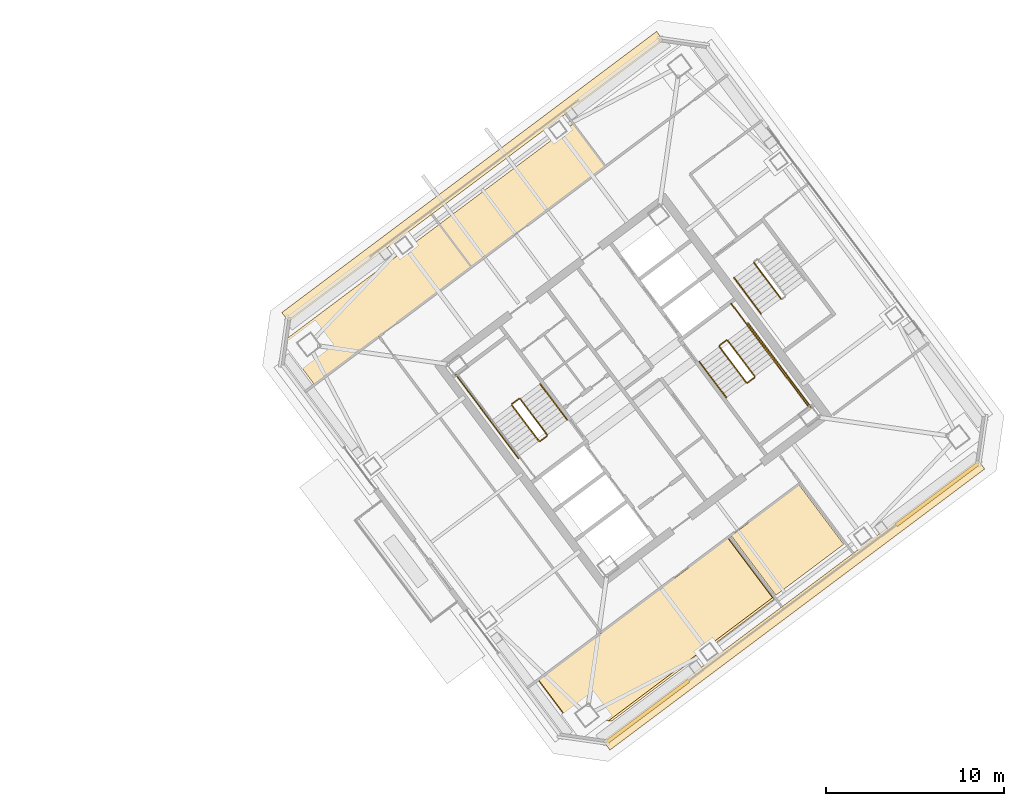
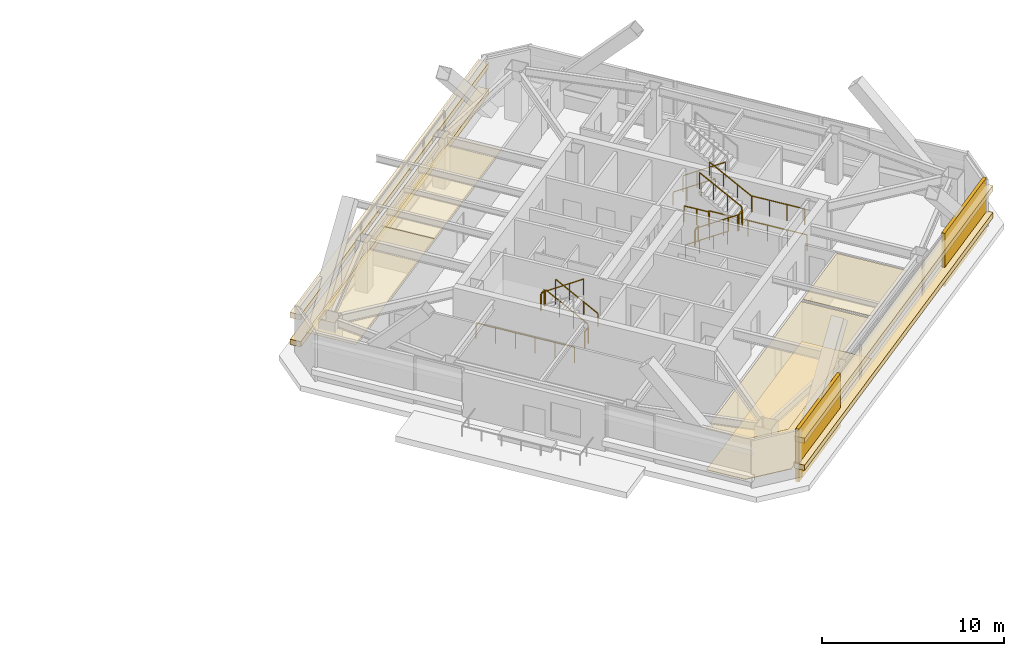
# One storey, part 38 of 39: 17 railings, 11 coverings.
"""IFC4 building model written with IfcOpenShell, lengths in metres."""

import ifcopenshell
import ifcopenshell.guid

model = None  # the IFC model being written
_history = None  # IfcOwnerHistory: only IFC2X3 demands one
_inside = {}  # id of a spatial element -> (the spatial element, [elements in it])
_under = {}  # id of a project, library or spatial element -> (it, [spatial elements below it])
_declared = {}  # id of a project -> (the project, [libraries it declares])
_typed = {}  # id of a type object -> (the type object, [elements of that type])
_made_of = {}  # id of a material, layer set ... -> (it, [elements and type objects made of it])


def new_model(schema):
    """Start an empty IFC model of exactly this schema.

    Asked for "IFC4X3", IfcOpenShell would pick the latest addendum, in which some entities
    have other attributes; the version numbers below select the first issue.
    IFC2X3 requires an IfcOwnerHistory on every rooted entity: one is made here for all.
    """
    global model, _history
    if schema == "IFC4X3":
        model = ifcopenshell.file(schema_version=(4, 3, 0, 0))
    else:
        model = ifcopenshell.file(schema=schema)
    _inside.clear()
    _under.clear()
    _declared.clear()
    _typed.clear()
    _made_of.clear()
    _history = None
    if model.schema == "IFC2X3":
        org = make("IfcOrganization", Name="unknown")
        user = make(
            "IfcPersonAndOrganization",
            ThePerson=make("IfcPerson", FamilyName="unknown"),
            TheOrganization=org,
        )
        app = make(
            "IfcApplication",
            ApplicationDeveloper=org,
            Version="unknown",
            ApplicationFullName="unknown",
            ApplicationIdentifier="unknown",
        )
        _history = make(
            "IfcOwnerHistory",
            OwningUser=user,
            OwningApplication=app,
            ChangeAction="ADDED",
            CreationDate=0,
        )
    return model


def make(cls, **values):
    """One entity of the class cls with the attributes given. An attribute that is None is left unset."""
    return model.create_entity(
        cls, **{name: value for name, value in values.items() if value is not None}
    )


def rooted(cls, **values):
    """An entity with a GlobalId (a new one), such as an element, a storey or a relation."""
    return make(cls, GlobalId=ifcopenshell.guid.new(), OwnerHistory=_history, **values)


def si_unit(unit_type, name, prefix=None):
    """IfcSIUnit, for example si_unit("LENGTHUNIT", "METRE", prefix="MILLI")."""
    return make("IfcSIUnit", UnitType=unit_type, Prefix=prefix, Name=name)


def assignment(units):
    """IfcUnitAssignment: the units of a project."""
    return None if units is None else make("IfcUnitAssignment", Units=units)


def point(xyz):
    """IfcCartesianPoint."""
    return None if xyz is None else make("IfcCartesianPoint", Coordinates=xyz)


def direction(xyz):
    """IfcDirection."""
    return None if xyz is None else make("IfcDirection", DirectionRatios=xyz)


def frame(location, z_axis=None, x_axis=None):
    """IfcAxis2Placement3D, a coordinate frame: its origin and axes. An axis left out is left unset."""
    return make(
        "IfcAxis2Placement3D",
        Location=point(location),
        Axis=direction(z_axis),
        RefDirection=direction(x_axis),
    )


def frame_2d(location, x_axis=None):
    """IfcAxis2Placement2D, a coordinate frame in the plane: its origin and x axis."""
    return make(
        "IfcAxis2Placement2D", Location=point(location), RefDirection=direction(x_axis)
    )


def origin():
    """The frame at (0, 0, 0) with its axes left unset."""
    return frame((0.0, 0.0, 0.0))


def origin_2d():
    """The frame at (0, 0) in the plane with its x axis left unset."""
    return frame_2d((0.0, 0.0))


def place(relative_to, where):
    """IfcLocalPlacement: puts the frame where relative to a parent placement (None: the world)."""
    return make(
        "IfcLocalPlacement", PlacementRelTo=relative_to, RelativePlacement=where
    )


def context(
    kind, dimensions, precision=None, world=None, true_north=None, identifier=None
):
    """IfcGeometricRepresentationContext, for example the 3D "Model" context."""
    return make(
        "IfcGeometricRepresentationContext",
        ContextIdentifier=identifier,
        ContextType=kind,
        CoordinateSpaceDimension=dimensions,
        Precision=precision,
        WorldCoordinateSystem=world,
        TrueNorth=true_north,
    )


def subcontext(parent, identifier, kind, view, scale=None):
    """IfcGeometricRepresentationSubContext, for example "Body" below "Model"."""
    return make(
        "IfcGeometricRepresentationSubContext",
        ContextIdentifier=identifier,
        ContextType=kind,
        ParentContext=parent,
        TargetScale=scale,
        TargetView=view,
    )


def project(units=None, contexts=None):
    """IfcProject with its units and contexts."""
    return rooted(
        "IfcProject",
        Name="project",
        RepresentationContexts=contexts,
        UnitsInContext=assignment(units),
    )


def spatial(cls, under=None, at=None, **own):
    """A site, building, storey or space (cls), placed at a placement, below another one or the project."""
    s = rooted(cls, ObjectPlacement=at, **own)
    if under is not None:
        _under.setdefault(under.id(), (under, []))[1].append(s)
    return s


def polyline(points):
    """IfcPolyline through the points."""
    return make("IfcPolyline", Points=[point(p) for p in points])


def profile(cls, at=None, kind="AREA", **sizes):
    """A parametric profile (cls). Its sizes go by their IFC names, for example OverallWidth=200.0."""
    return make(cls, ProfileType=kind, Position=at, **sizes)


def rectangle(**sizes):
    """IfcRectangleProfileDef."""
    return profile("IfcRectangleProfileDef", **sizes)


def outline(outer, holes=None, kind="AREA"):
    """IfcArbitraryClosedProfileDef: a profile drawn as a closed curve; with holes, ...WithVoids."""
    if holes is None:
        return make("IfcArbitraryClosedProfileDef", ProfileType=kind, OuterCurve=outer)
    return make(
        "IfcArbitraryProfileDefWithVoids",
        ProfileType=kind,
        OuterCurve=outer,
        InnerCurves=holes,
    )


def extrude(swept, where, along, depth):
    """IfcExtrudedAreaSolid: the profile swept, set in the frame where, extruded along a direction by depth."""
    return make(
        "IfcExtrudedAreaSolid",
        SweptArea=swept,
        Position=where,
        ExtrudedDirection=direction(along),
        Depth=depth,
    )


def shape(context_of_items, identifier, shape_type, items):
    """IfcShapeRepresentation: the items that make up one representation, for example the "Body"."""
    return make(
        "IfcShapeRepresentation",
        ContextOfItems=context_of_items,
        RepresentationIdentifier=identifier,
        RepresentationType=shape_type,
        Items=items,
    )


def material(Name=None, Category=None):
    """IfcMaterial."""
    return make("IfcMaterial", Name=Name, Category=Category)


def layer(
    of_material, thickness, ventilated=None, Name=None, Category=None, Priority=None
):
    """IfcMaterialLayer: one layer of a wall or slab, of a material (None: an air gap)."""
    return make(
        "IfcMaterialLayer",
        Material=of_material,
        LayerThickness=thickness,
        IsVentilated=ventilated,
        Name=Name,
        Category=Category,
        Priority=Priority,
    )


def layer_set(layers, Name=None):
    """IfcMaterialLayerSet."""
    return make("IfcMaterialLayerSet", MaterialLayers=layers, LayerSetName=Name)


def made_of(thing, what):
    """Note that an element or type object is made of a material, layer set ...; save() writes the relation."""
    if what is not None:
        _made_of.setdefault(what.id(), (what, []))[1].append(thing)
    return thing


def type_object(cls, material=None, **own):
    """A type object (cls), such as IfcWallType, which elements share."""
    return made_of(rooted(cls, **own), material)


def element(
    cls,
    number,
    at=None,
    inside=None,
    cuts=None,
    type_object=None,
    material=None,
    context=None,
    identifier="Body",
    shape_type=None,
    held_by="IfcProductDefinitionShape",
    body=None,
    shapes=None,
    **own,
):
    """One element of the class cls, such as IfcWall. Its Tag is "e" and its number.

    at: its placement. inside: the storey or other place that contains it. cuts: it is an
    opening in that element (IfcRelVoidsElement). A single representation is given by context,
    identifier, shape_type and body (its items); several are given by shapes. held_by: the class
    of the entity that holds the representations. save() writes the other relations.
    """
    e = rooted(cls, Tag="e%d" % number, ObjectPlacement=at, **own)
    if body is not None:
        shapes = [shape(context, identifier, shape_type, body)]
    if shapes is not None:
        e.Representation = make(held_by, Representations=shapes)
    if inside is not None:
        _inside.setdefault(inside.id(), (inside, []))[1].append(e)
    if cuts is not None:
        rooted(
            "IfcRelVoidsElement", RelatingBuildingElement=cuts, RelatedOpeningElement=e
        )
    if type_object is not None:
        _typed.setdefault(type_object.id(), (type_object, []))[1].append(e)
    return made_of(e, material)


def aggregate(whole, parts):
    """IfcRelAggregates: a whole, such as a stair, and the parts it consists of."""
    return rooted("IfcRelAggregates", RelatingObject=whole, RelatedObjects=parts)


def save(model, path):
    """Write the relations noted so far, then the file.

    IfcRelAggregates (storeys below a building ...), IfcRelContainedInSpatialStructure (elements
    in a storey), IfcRelDefinesByType, IfcRelAssociatesMaterial and IfcRelDeclares: one each for
    every whole, place, type object, material and project.
    """
    for whole, parts in _under.values():
        aggregate(whole, parts)
    for where, things in _inside.values():
        rooted(
            "IfcRelContainedInSpatialStructure",
            RelatedElements=things,
            RelatingStructure=where,
        )
    for kind, things in _typed.values():
        rooted("IfcRelDefinesByType", RelatedObjects=things, RelatingType=kind)
    for what, things in _made_of.values():
        rooted("IfcRelAssociatesMaterial", RelatedObjects=things, RelatingMaterial=what)
    for by, libraries in _declared.values():
        rooted("IfcRelDeclares", RelatingContext=by, RelatedDefinitions=libraries)
    model.write(path)


model = new_model("IFC4")

# Units and contexts
model_context = context("Model", 3, precision=1e-05, world=origin(), true_north=direction((0.0, 1.0)))
body_context = subcontext(model_context, "Body", "Model", "MODEL_VIEW")
ifc_project = project(units=[si_unit("LENGTHUNIT", "METRE"), si_unit("AREAUNIT", "SQUARE_METRE"), si_unit("VOLUMEUNIT", "CUBIC_METRE"), si_unit("PLANEANGLEUNIT", "RADIAN"), si_unit("MASSUNIT", "GRAM", prefix="KILO")], contexts=[model_context])

# Site, building, storey
site_placement = place(None, origin())
site = spatial("IfcSite", under=ifc_project, at=site_placement, CompositionType="ELEMENT")
building_placement = place(site_placement, origin())
building = spatial("IfcBuilding", under=site, at=building_placement, Name="Tashvorn Skyway Center", CompositionType="ELEMENT")
storey_placement = place(building_placement, frame((0.0, 0.0, 232.60009765625)))
storey = spatial("IfcBuildingStorey", under=building, at=storey_placement, Name="L63", CompositionType="ELEMENT", Elevation=232.60009765625)

# Coverings
ifc_material_1 = material(Name="Precast concrete C40/50", Category="concrete")
ifc_layer_1 = layer(ifc_material_1, 0.199951171875)
ifc_layer_set_1 = layer_set([ifc_layer_1], Name="Precast concrete C40/50")
covering_type_1 = type_object("IfcCoveringType", Name="COV-BRACE-CLAD", PredefinedType="CLADDING", material=ifc_layer_set_1)
for number, where, z_axis, x_axis, name in (
    (1, (131.066650390625, 26.199951171875, 0.0), (0.0, 0.0, 1.0), (-0.799999996291, -0.600000004945, 0.0), "Tower 2 L63 South Unitised Curtain Wall Mega-Brace Cladding Band 1"),
    (2, (114.789306640625, 13.991943359375, 0.0), (0.0, 0.0, 1.0), (-0.799999996291, -0.600000004945, 0.0), "Tower 2 L63 South Unitised Curtain Wall Mega-Brace Cladding Band 2"),
):
    element("IfcCovering", number, at=place(storey_placement, frame(where, z_axis=z_axis, x_axis=x_axis)), inside=storey, type_object=covering_type_1, Name=name, PredefinedType="CLADDING", context=body_context, shape_type="SweptSolid", body=[
        extrude(rectangle(XDim=5.8134765625, YDim=0.199951171875, at=origin_2d()), origin(), (0.0, 0.0, 1.0), 3.550048828125),
    ])
ifc_material_2 = material(Name="Mineral-fibre acoustic ceiling tile on suspended grid")
ifc_layer_2 = layer(ifc_material_2, 0.02001953125)
ifc_layer_set_2 = layer_set([ifc_layer_2], Name="Mineral-fibre acoustic ceiling tile on suspended grid")
covering_type_2 = type_object("IfcCoveringType", Name="COV-CEIL-20", PredefinedType="CEILING", material=ifc_layer_set_2)
covering_1_placement = place(storey_placement, frame((0.0, 0.0, 2.702880859375)))
element("IfcCovering", 3, at=covering_1_placement, inside=storey, type_object=covering_type_2, Name="Tower 2 L63 Operations Control Room Acoustic Ceiling", PredefinedType="CEILING", context=body_context, shape_type="SweptSolid", body=[
    extrude(outline(polyline([(96.1201171875, 32.340087890625), (104.919921875, 38.93994140625), (103.1201171875, 41.340087890625), (94.320068359375, 34.739990234375), (96.1201171875, 32.340087890625)])), origin(), (0.0, 0.0, 1.0), 0.02001953125),
])
covering_2_placement = place(storey_placement, frame((0.0, 0.0, 2.702880859375)))
element("IfcCovering", 4, at=covering_2_placement, inside=storey, type_object=covering_type_2, Name="Tower 2 L63 Operations Control Room Acoustic Ceiling", PredefinedType="CEILING", context=body_context, shape_type="SweptSolid", body=[
    extrude(outline(polyline([(104.919921875, 38.93994140625), (112.43994140625, 44.580078125), (110.639892578125, 46.97998046875), (103.1201171875, 41.340087890625), (104.919921875, 38.93994140625)])), origin(), (0.0, 0.0, 1.0), 0.02001953125),
])
covering_3_placement = place(storey_placement, frame((0.0, 0.0, 2.702880859375)))
element("IfcCovering", 5, at=covering_3_placement, inside=storey, type_object=covering_type_2, Name="Tower 2 L63 Operations Control Room Acoustic Ceiling", PredefinedType="CEILING", context=body_context, shape_type="SweptSolid", body=[
    extrude(outline(polyline([(108.701904296875, 15.763916015625), (119.31005859375, 23.719970703125), (121.81201171875, 20.384033203125), (112.612060546875, 13.48388671875), (110.14794921875, 13.8359375), (108.701904296875, 15.763916015625)])), origin(), (0.0, 0.0, 1.0), 0.02001953125),
])
covering_4_placement = place(storey_placement, frame((0.0, 0.0, 2.702880859375)))
element("IfcCovering", 6, at=covering_4_placement, inside=storey, type_object=covering_type_2, Name="Tower 2 L63 Boardroom Acoustic Ceiling", PredefinedType="CEILING", context=body_context, shape_type="SweptSolid", body=[
    extrude(outline(polyline([(119.501953125, 23.864013671875), (123.31005859375, 26.719970703125), (125.81201171875, 23.384033203125), (122.00390625, 20.528076171875), (119.501953125, 23.864013671875)])), origin(), (0.0, 0.0, 1.0), 0.02001953125),
])
ifc_material_3 = material(Name="Polished Mojave desert-aggregate terrazzo and cover plate")
ifc_layer_3 = layer(ifc_material_3, 0.0400390625)
ifc_layer_set_3 = layer_set([ifc_layer_3], Name="Polished Mojave desert-aggregate terrazzo and cover plate")
covering_type_3 = type_object("IfcCoveringType", Name="COV-FLR-40", PredefinedType="FLOORING", material=ifc_layer_set_3)
covering_5_placement = place(storey_placement, origin())
element("IfcCovering", 7, at=covering_5_placement, inside=storey, type_object=covering_type_3, Name="Tower 2 L63 Operations Control Room Finish Flooring", PredefinedType="FLOORING", context=body_context, shape_type="SweptSolid", body=[
    extrude(outline(polyline([(112.780029296875, 13.4599609375), (110.092041015625, 13.843994140625), (108.694091796875, 15.7080078125), (119.365966796875, 23.7119140625), (121.916015625, 20.31201171875), (112.780029296875, 13.4599609375)])), origin(), (0.0, 0.0, 1.0), 0.039794921875),
])
ifc_material_4 = material(Name="Perforated ceramic-coated bronze aluminium solar screen", Category="aluminium")
ifc_layer_4 = layer(ifc_material_4, 0.85009765625)
ifc_layer_set_4 = layer_set([ifc_layer_4], Name="Perforated ceramic-coated bronze aluminium solar screen")
covering_type_4 = type_object("IfcCoveringType", Name="COV-SOLAR-BAND", PredefinedType="CLADDING", material=ifc_layer_set_4)
for number, where, z_axis, x_axis, name in (
    (8, (123.011962890625, 19.98388671875, 0.919921875), (0.0, 0.0, 1.0), (-0.799999996291, -0.600000004945, 0.0), "L63 Perforated Ceramic-Metal Solar Screen Louvre Band South 1"),
    (9, (123.011962890625, 19.98388671875, 2.7197265625), (0.0, 0.0, 1.0), (-0.799999996291, -0.600000004945, 0.0), "L63 Perforated Ceramic-Metal Solar Screen Louvre Band South 2"),
    (10, (104.988037109375, 44.01611328125, 0.919921875), (0.0, 0.0, 1.0), (0.799999996291, 0.600000004945, 0.0), "L63 Perforated Ceramic-Metal Solar Screen Louvre Band North 1"),
    (11, (104.988037109375, 44.01611328125, 2.7197265625), (0.0, 0.0, 1.0), (0.799999996291, 0.600000004945, 0.0), "L63 Perforated Ceramic-Metal Solar Screen Louvre Band North 2"),
):
    element("IfcCovering", number, at=place(storey_placement, frame(where, z_axis=z_axis, x_axis=x_axis)), inside=storey, type_object=covering_type_4, Name=name, PredefinedType="CLADDING", context=body_context, shape_type="SweptSolid", body=[
        extrude(rectangle(XDim=26.280029296875, YDim=0.639892578125, at=origin_2d()), origin(), (0.0, 0.0, 1.0), 0.360107421875),
    ])

# Railings
ifc_material_5 = material(Name="Brushed stainless steel 316", Category="steel")
railing_type_1 = type_object("IfcRailingType", Name="RAIL-HAND-920", PredefinedType="HANDRAIL", material=ifc_material_5)
railing_1_placement = place(storey_placement, frame((110.2880859375, 30.365966796875, 0.177490234375)))
element("IfcRailing", 12, at=railing_1_placement, inside=storey, type_object=railing_type_1, Name="L63 ST-T2-1 stair handrail 1", PredefinedType="HANDRAIL", context=body_context, shape_type="SweptSolid", body=[
    extrude(rectangle(XDim=0.048095703125, YDim=0.048095703125, at=origin_2d()), frame((0.0, 0.0, 0.8759765625), z_axis=(-0.506801609611, 0.675680931896, 0.535357270211), x_axis=(-0.799976749893, -0.600030998891, 0.0)), (0.0, 0.0, 1.0), 2.98388671875),
    extrude(rectangle(XDim=0.0419921875, YDim=0.0419921875, at=origin_2d()), origin(), (0.0, 0.0, 1.0), 0.851806640625),
    extrude(rectangle(XDim=0.0419921875, YDim=0.0419921875, at=origin_2d()), frame((-0.504150390625, 0.672119140625, 0.532470703125)), (0.0, 0.0, 1.0), 0.851806640625),
    extrude(rectangle(XDim=0.0419921875, YDim=0.0419921875, at=origin_2d()), frame((-1.008056640625, 1.343994140625, 1.06494140625)), (0.0, 0.0, 1.0), 0.851806640625),
    extrude(rectangle(XDim=0.0419921875, YDim=0.0419921875, at=origin_2d()), frame((-1.51220703125, 2.01611328125, 1.597412109375)), (0.0, 0.0, 1.0), 0.851806640625),
])
railing_2_placement = place(storey_placement, frame((117.7119140625, 33.634033203125, 0.177490234375)))
element("IfcRailing", 13, at=railing_2_placement, inside=storey, type_object=railing_type_1, Name="L63 ST-T2-2 stair handrail 1", PredefinedType="HANDRAIL", context=body_context, shape_type="SweptSolid", body=[
    extrude(rectangle(XDim=0.048095703125, YDim=0.048095703125, at=origin_2d()), frame((0.0, 0.0, 0.8759765625), z_axis=(0.506801609611, -0.675680931896, 0.535357270211), x_axis=(0.799976749893, 0.600030998891, 0.0)), (0.0, 0.0, 1.0), 2.98388671875),
    extrude(rectangle(XDim=0.0419921875, YDim=0.0419921875, at=origin_2d()), origin(), (0.0, 0.0, 1.0), 0.851806640625),
    extrude(rectangle(XDim=0.0419921875, YDim=0.0419921875, at=origin_2d()), frame((0.504150390625, -0.672119140625, 0.532470703125)), (0.0, 0.0, 1.0), 0.851806640625),
    extrude(rectangle(XDim=0.0419921875, YDim=0.0419921875, at=origin_2d()), frame((1.008056640625, -1.343994140625, 1.06494140625)), (0.0, 0.0, 1.0), 0.851806640625),
    extrude(rectangle(XDim=0.0419921875, YDim=0.0419921875, at=origin_2d()), frame((1.51220703125, -2.01611328125, 1.597412109375)), (0.0, 0.0, 1.0), 0.851806640625),
])
railing_3_placement = place(storey_placement, frame((121.927978515625, 33.64599609375, 1.952392578125)))
element("IfcRailing", 14, at=railing_3_placement, inside=storey, type_object=railing_type_1, Name="L63 ST-T2-2 stair handrail 2", PredefinedType="HANDRAIL", context=body_context, shape_type="SweptSolid", body=[
    extrude(rectangle(XDim=0.048095703125, YDim=0.048095703125, at=origin_2d()), frame((0.0, 0.0, 0.8759765625), z_axis=(-0.506740800098, 0.675708949977, 0.535379469569), x_axis=(-0.800023250257, -0.599968998406, 0.0)), (0.0, 0.0, 1.0), 2.983642578125),
    extrude(rectangle(XDim=0.0419921875, YDim=0.0419921875, at=origin_2d()), origin(), (0.0, 0.0, 1.0), 0.851806640625),
    extrude(rectangle(XDim=0.0419921875, YDim=0.0419921875, at=origin_2d()), frame((-0.50390625, 0.672119140625, 0.532470703125)), (0.0, 0.0, 1.0), 0.851806640625),
    extrude(rectangle(XDim=0.0419921875, YDim=0.0419921875, at=origin_2d()), frame((-1.008056640625, 1.343994140625, 1.06494140625)), (0.0, 0.0, 1.0), 0.851806640625),
    extrude(rectangle(XDim=0.0419921875, YDim=0.0419921875, at=origin_2d()), frame((-1.511962890625, 2.01611328125, 1.597412109375)), (0.0, 0.0, 1.0), 0.851806640625),
])
railing_4_placement = place(storey_placement, frame((119.656005859375, 38.342041015625, 0.177490234375)))
element("IfcRailing", 15, at=railing_4_placement, inside=storey, type_object=railing_type_1, Name="L63 ST-T2-3 stair handrail 1", PredefinedType="HANDRAIL", context=body_context, shape_type="SweptSolid", body=[
    extrude(rectangle(XDim=0.048095703125, YDim=0.048095703125, at=origin_2d()), frame((0.0, 0.0, 0.8759765625), z_axis=(0.506740800098, -0.675708949977, 0.535379469569), x_axis=(0.800023250257, 0.599968998406, 0.0)), (0.0, 0.0, 1.0), 2.983642578125),
    extrude(rectangle(XDim=0.0419921875, YDim=0.0419921875, at=origin_2d()), origin(), (0.0, 0.0, 1.0), 0.851806640625),
    extrude(rectangle(XDim=0.0419921875, YDim=0.0419921875, at=origin_2d()), frame((0.50390625, -0.672119140625, 0.532470703125)), (0.0, 0.0, 1.0), 0.851806640625),
    extrude(rectangle(XDim=0.0419921875, YDim=0.0419921875, at=origin_2d()), frame((1.008056640625, -1.343994140625, 1.06494140625)), (0.0, 0.0, 1.0), 0.851806640625),
    extrude(rectangle(XDim=0.0419921875, YDim=0.0419921875, at=origin_2d()), frame((1.511962890625, -2.01611328125, 1.597412109375)), (0.0, 0.0, 1.0), 0.851806640625),
])
ifc_material_6 = material(Name="Painted galvanized steel S355", Category="steel")
railing_type_2 = type_object("IfcRailingType", Name="RAIL-STGUARD-1100", PredefinedType="GUARDRAIL", material=ifc_material_6)
railing_5_placement = place(storey_placement, frame((109.16796875, 29.52587890625, 0.177490234375)))
element("IfcRailing", 16, at=railing_5_placement, inside=storey, type_object=railing_type_2, Name="L63 ST-T2-1 stair guard 1", PredefinedType="GUARDRAIL", context=body_context, shape_type="SweptSolid", body=[
    extrude(rectangle(XDim=0.048095703125, YDim=0.048095703125, at=origin_2d()), frame((0.0, 0.0, 1.076171875), z_axis=(-0.506740800098, 0.675708949977, 0.535379469569), x_axis=(-0.800023250257, -0.599968998406, 0.0)), (0.0, 0.0, 1.0), 2.983642578125),
    extrude(rectangle(XDim=0.0419921875, YDim=0.0419921875, at=origin_2d()), origin(), (0.0, 0.0, 1.0), 1.052001953125),
    extrude(rectangle(XDim=0.0419921875, YDim=0.0419921875, at=origin_2d()), frame((-0.50390625, 0.672119140625, 0.532470703125)), (0.0, 0.0, 1.0), 1.052001953125),
    extrude(rectangle(XDim=0.0419921875, YDim=0.0419921875, at=origin_2d()), frame((-1.008056640625, 1.343994140625, 1.06494140625)), (0.0, 0.0, 1.0), 1.052001953125),
    extrude(rectangle(XDim=0.0419921875, YDim=0.0419921875, at=origin_2d()), frame((-1.511962890625, 2.01611328125, 1.597412109375)), (0.0, 0.0, 1.0), 1.052001953125),
])
railing_6_placement = place(storey_placement, frame((107.5859375, 31.552001953125, 1.77490234375)))
element("IfcRailing", 17, at=railing_6_placement, inside=storey, type_object=railing_type_2, Name="L63 ST-T2-1 stair guard 2", PredefinedType="GUARDRAIL", context=body_context, shape_type="SweptSolid", body=[
    extrude(rectangle(XDim=0.048095703125, YDim=0.048095703125, at=origin_2d()), frame((0.0, 0.0, 1.076171875), z_axis=(-0.799938970639, -0.600081363861, 0.0), x_axis=(0.600081363861, -0.799938970639, 0.0)), (0.0, 0.0, 1.0), 0.47998046875),
    extrude(rectangle(XDim=0.0419921875, YDim=0.0419921875, at=origin_2d()), origin(), (0.0, 0.0, 1.0), 1.052001953125),
    extrude(rectangle(XDim=0.0419921875, YDim=0.0419921875, at=origin_2d()), frame((-0.384033203125, -0.2880859375, 0.0)), (0.0, 0.0, 1.0), 1.052001953125),
])
railing_7_placement = place(storey_placement, frame((107.19189453125, 31.194091796875, 1.952392578125)))
element("IfcRailing", 18, at=railing_7_placement, inside=storey, type_object=railing_type_2, Name="L63 ST-T2-1 stair guard 4", PredefinedType="GUARDRAIL", context=body_context, shape_type="SweptSolid", body=[
    extrude(rectangle(XDim=0.048095703125, YDim=0.048095703125, at=origin_2d()), frame((0.0, 0.0, 1.076171875), z_axis=(0.506801609611, -0.675680931896, 0.535357270211), x_axis=(0.799976749893, 0.600030998891, 0.0)), (0.0, 0.0, 1.0), 2.98388671875),
    extrude(rectangle(XDim=0.0419921875, YDim=0.0419921875, at=origin_2d()), origin(), (0.0, 0.0, 1.0), 1.052001953125),
    extrude(rectangle(XDim=0.0419921875, YDim=0.0419921875, at=origin_2d()), frame((0.504150390625, -0.672119140625, 0.532470703125)), (0.0, 0.0, 1.0), 1.052001953125),
    extrude(rectangle(XDim=0.0419921875, YDim=0.0419921875, at=origin_2d()), frame((1.008056640625, -1.343994140625, 1.06494140625)), (0.0, 0.0, 1.0), 1.052001953125),
    extrude(rectangle(XDim=0.0419921875, YDim=0.0419921875, at=origin_2d()), frame((1.51220703125, -2.01611328125, 1.597412109375)), (0.0, 0.0, 1.0), 1.052001953125),
])
railing_8_placement = place(storey_placement, frame((109.157958984375, 29.4560546875, 0.0)))
element("IfcRailing", 19, at=railing_8_placement, inside=storey, type_object=railing_type_2, Name="L63 ST-T2-1 stair guard 5", PredefinedType="GUARDRAIL", context=body_context, shape_type="SweptSolid", body=[
    extrude(rectangle(XDim=0.048095703125, YDim=0.048095703125, at=origin_2d()), frame((0.0, 0.0, 1.076171875), z_axis=(-0.799938970639, -0.600081363861, 0.0), x_axis=(0.600081363861, -0.799938970639, 0.0)), (0.0, 0.0, 1.0), 0.47998046875),
    extrude(rectangle(XDim=0.0419921875, YDim=0.0419921875, at=origin_2d()), origin(), (0.0, 0.0, 1.0), 1.052001953125),
    extrude(rectangle(XDim=0.0419921875, YDim=0.0419921875, at=origin_2d()), frame((-0.384033203125, -0.2880859375, 0.0)), (0.0, 0.0, 1.0), 1.052001953125),
])
railing_9_placement = place(storey_placement, frame((107.56396484375, 28.197998046875, 0.0)))
element("IfcRailing", 20, at=railing_9_placement, inside=storey, type_object=railing_type_2, Name="L63 ST-T2-1 stair guard 7", PredefinedType="GUARDRAIL", context=body_context, shape_type="SweptSolid", body=[
    extrude(rectangle(XDim=0.048095703125, YDim=0.048095703125, at=origin_2d()), frame((0.0, 0.0, 1.076171875), z_axis=(-0.6, 0.8, 0.0), x_axis=(-0.8, -0.6, 0.0)), (0.0, 0.0, 1.0), 5.880126953125),
    extrude(rectangle(XDim=0.0419921875, YDim=0.0419921875, at=origin_2d()), origin(), (0.0, 0.0, 1.0), 1.052001953125),
    extrude(rectangle(XDim=0.0419921875, YDim=0.0419921875, at=origin_2d()), frame((-0.70556640625, 0.94091796875, 0.0)), (0.0, 0.0, 1.0), 1.052001953125),
    extrude(rectangle(XDim=0.0419921875, YDim=0.0419921875, at=origin_2d()), frame((-1.4111328125, 1.881591796875, 0.0)), (0.0, 0.0, 1.0), 1.052001953125),
    extrude(rectangle(XDim=0.0419921875, YDim=0.0419921875, at=origin_2d()), frame((-2.116943359375, 2.822509765625, 0.0)), (0.0, 0.0, 1.0), 1.052001953125),
    extrude(rectangle(XDim=0.0419921875, YDim=0.0419921875, at=origin_2d()), frame((-2.822509765625, 3.76318359375, 0.0)), (0.0, 0.0, 1.0), 1.052001953125),
    extrude(rectangle(XDim=0.0419921875, YDim=0.0419921875, at=origin_2d()), frame((-3.528076171875, 4.7041015625, 0.0)), (0.0, 0.0, 1.0), 1.052001953125),
])
railing_10_placement = place(storey_placement, frame((118.83203125, 34.47412109375, 0.177490234375)))
element("IfcRailing", 21, at=railing_10_placement, inside=storey, type_object=railing_type_2, Name="L63 ST-T2-2 stair guard 1", PredefinedType="GUARDRAIL", context=body_context, shape_type="SweptSolid", body=[
    extrude(rectangle(XDim=0.048095703125, YDim=0.048095703125, at=origin_2d()), frame((0.0, 0.0, 1.076171875), z_axis=(0.506740800098, -0.675708949977, 0.535379469569), x_axis=(0.800023250257, 0.599968998406, 0.0)), (0.0, 0.0, 1.0), 2.983642578125),
    extrude(rectangle(XDim=0.0419921875, YDim=0.0419921875, at=origin_2d()), origin(), (0.0, 0.0, 1.0), 1.052001953125),
    extrude(rectangle(XDim=0.0419921875, YDim=0.0419921875, at=origin_2d()), frame((0.50390625, -0.672119140625, 0.532470703125)), (0.0, 0.0, 1.0), 1.052001953125),
    extrude(rectangle(XDim=0.0419921875, YDim=0.0419921875, at=origin_2d()), frame((1.008056640625, -1.343994140625, 1.06494140625)), (0.0, 0.0, 1.0), 1.052001953125),
    extrude(rectangle(XDim=0.0419921875, YDim=0.0419921875, at=origin_2d()), frame((1.511962890625, -2.01611328125, 1.597412109375)), (0.0, 0.0, 1.0), 1.052001953125),
])
railing_11_placement = place(storey_placement, frame((120.4140625, 32.447998046875, 1.77490234375)))
element("IfcRailing", 22, at=railing_11_placement, inside=storey, type_object=railing_type_2, Name="L63 ST-T2-2 stair guard 2", PredefinedType="GUARDRAIL", context=body_context, shape_type="SweptSolid", body=[
    extrude(rectangle(XDim=0.048095703125, YDim=0.048095703125, at=origin_2d()), frame((0.0, 0.0, 1.076171875), z_axis=(0.799938970639, 0.600081363861, 0.0), x_axis=(-0.600081363861, 0.799938970639, 0.0)), (0.0, 0.0, 1.0), 0.47998046875),
    extrude(rectangle(XDim=0.0419921875, YDim=0.0419921875, at=origin_2d()), origin(), (0.0, 0.0, 1.0), 1.052001953125),
    extrude(rectangle(XDim=0.0419921875, YDim=0.0419921875, at=origin_2d()), frame((0.384033203125, 0.2880859375, 0.0)), (0.0, 0.0, 1.0), 1.052001953125),
])
railing_12_placement = place(storey_placement, frame((121.927978515625, 33.64599609375, 1.77490234375)))
element("IfcRailing", 23, at=railing_12_placement, inside=storey, type_object=railing_type_2, Name="L63 ST-T2-2 stair guard 3", PredefinedType="GUARDRAIL", context=body_context, shape_type="SweptSolid", body=[
    extrude(rectangle(XDim=0.048095703125, YDim=0.048095703125, at=origin_2d()), frame((0.0, 0.0, 1.076171875), z_axis=(0.599987638607, -0.800009270896, 0.0), x_axis=(0.800009270896, 0.599987638607, 0.0)), (0.0, 0.0, 1.0), 3.16015625),
    extrude(rectangle(XDim=0.0419921875, YDim=0.0419921875, at=origin_2d()), origin(), (0.0, 0.0, 1.0), 1.052001953125),
    extrude(rectangle(XDim=0.0419921875, YDim=0.0419921875, at=origin_2d()), frame((0.632080078125, -0.8427734375, 0.0)), (0.0, 0.0, 1.0), 1.052001953125),
    extrude(rectangle(XDim=0.0419921875, YDim=0.0419921875, at=origin_2d()), frame((1.263916015625, -1.685302734375, 0.0)), (0.0, 0.0, 1.0), 1.052001953125),
    extrude(rectangle(XDim=0.0419921875, YDim=0.0419921875, at=origin_2d()), frame((1.89599609375, -2.528076171875, 0.0)), (0.0, 0.0, 1.0), 1.052001953125),
])
railing_13_placement = place(storey_placement, frame((120.80810546875, 32.805908203125, 1.952392578125)))
element("IfcRailing", 24, at=railing_13_placement, inside=storey, type_object=railing_type_2, Name="L63 ST-T2-2 stair guard 4", PredefinedType="GUARDRAIL", context=body_context, shape_type="SweptSolid", body=[
    extrude(rectangle(XDim=0.048095703125, YDim=0.048095703125, at=origin_2d()), frame((0.0, 0.0, 1.076171875), z_axis=(-0.506801609611, 0.675680931896, 0.535357270211), x_axis=(-0.799976749893, -0.600030998891, 0.0)), (0.0, 0.0, 1.0), 2.98388671875),
    extrude(rectangle(XDim=0.0419921875, YDim=0.0419921875, at=origin_2d()), origin(), (0.0, 0.0, 1.0), 1.052001953125),
    extrude(rectangle(XDim=0.0419921875, YDim=0.0419921875, at=origin_2d()), frame((-0.504150390625, 0.672119140625, 0.532470703125)), (0.0, 0.0, 1.0), 1.052001953125),
    extrude(rectangle(XDim=0.0419921875, YDim=0.0419921875, at=origin_2d()), frame((-1.008056640625, 1.343994140625, 1.06494140625)), (0.0, 0.0, 1.0), 1.052001953125),
    extrude(rectangle(XDim=0.0419921875, YDim=0.0419921875, at=origin_2d()), frame((-1.51220703125, 2.01611328125, 1.597412109375)), (0.0, 0.0, 1.0), 1.052001953125),
])
railing_14_placement = place(storey_placement, frame((118.842041015625, 34.5439453125, 0.0)))
element("IfcRailing", 25, at=railing_14_placement, inside=storey, type_object=railing_type_2, Name="L63 ST-T2-2 stair guard 5", PredefinedType="GUARDRAIL", context=body_context, shape_type="SweptSolid", body=[
    extrude(rectangle(XDim=0.048095703125, YDim=0.048095703125, at=origin_2d()), frame((0.0, 0.0, 1.076171875), z_axis=(0.799938970639, 0.600081363861, 0.0), x_axis=(-0.600081363861, 0.799938970639, 0.0)), (0.0, 0.0, 1.0), 0.47998046875),
    extrude(rectangle(XDim=0.0419921875, YDim=0.0419921875, at=origin_2d()), origin(), (0.0, 0.0, 1.0), 1.052001953125),
    extrude(rectangle(XDim=0.0419921875, YDim=0.0419921875, at=origin_2d()), frame((0.384033203125, 0.2880859375, 0.0)), (0.0, 0.0, 1.0), 1.052001953125),
])
railing_15_placement = place(storey_placement, frame((119.50390625, 36.8779296875, 0.0)))
element("IfcRailing", 26, at=railing_15_placement, inside=storey, type_object=railing_type_2, Name="L63 ST-T2-2 stair guard 6", PredefinedType="GUARDRAIL", context=body_context, shape_type="SweptSolid", body=[
    extrude(rectangle(XDim=0.048095703125, YDim=0.048095703125, at=origin_2d()), frame((0.0, 0.0, 1.076171875), z_axis=(0.600102796382, -0.799922892393, 0.0), x_axis=(0.799922892393, 0.600102796382, 0.0)), (0.0, 0.0, 1.0), 1.52001953125),
    extrude(rectangle(XDim=0.0419921875, YDim=0.0419921875, at=origin_2d()), origin(), (0.0, 0.0, 1.0), 1.052001953125),
    extrude(rectangle(XDim=0.0419921875, YDim=0.0419921875, at=origin_2d()), frame((0.4560546875, -0.60791015625, 0.0)), (0.0, 0.0, 1.0), 1.052001953125),
    extrude(rectangle(XDim=0.0419921875, YDim=0.0419921875, at=origin_2d()), frame((0.912109375, -1.2158203125, 0.0)), (0.0, 0.0, 1.0), 1.052001953125),
])
railing_16_placement = place(storey_placement, frame((120.43603515625, 35.802001953125, 0.0)))
element("IfcRailing", 27, at=railing_16_placement, inside=storey, type_object=railing_type_2, Name="L63 ST-T2-2 stair guard 7", PredefinedType="GUARDRAIL", context=body_context, shape_type="SweptSolid", body=[
    extrude(rectangle(XDim=0.048095703125, YDim=0.048095703125, at=origin_2d()), frame((0.0, 0.0, 1.076171875), z_axis=(0.6, -0.8, 0.0), x_axis=(0.8, 0.6, 0.0)), (0.0, 0.0, 1.0), 5.880126953125),
    extrude(rectangle(XDim=0.0419921875, YDim=0.0419921875, at=origin_2d()), origin(), (0.0, 0.0, 1.0), 1.052001953125),
    extrude(rectangle(XDim=0.0419921875, YDim=0.0419921875, at=origin_2d()), frame((0.70556640625, -0.94091796875, 0.0)), (0.0, 0.0, 1.0), 1.052001953125),
    extrude(rectangle(XDim=0.0419921875, YDim=0.0419921875, at=origin_2d()), frame((1.4111328125, -1.881591796875, 0.0)), (0.0, 0.0, 1.0), 1.052001953125),
    extrude(rectangle(XDim=0.0419921875, YDim=0.0419921875, at=origin_2d()), frame((2.116943359375, -2.822509765625, 0.0)), (0.0, 0.0, 1.0), 1.052001953125),
    extrude(rectangle(XDim=0.0419921875, YDim=0.0419921875, at=origin_2d()), frame((2.822509765625, -3.76318359375, 0.0)), (0.0, 0.0, 1.0), 1.052001953125),
    extrude(rectangle(XDim=0.0419921875, YDim=0.0419921875, at=origin_2d()), frame((3.528076171875, -4.7041015625, 0.0)), (0.0, 0.0, 1.0), 1.052001953125),
])
railing_17_placement = place(storey_placement, frame((120.77587890625, 39.181884765625, 0.177490234375)))
element("IfcRailing", 28, at=railing_17_placement, inside=storey, type_object=railing_type_2, Name="L63 ST-T2-3 stair guard 1", PredefinedType="GUARDRAIL", context=body_context, shape_type="SweptSolid", body=[
    extrude(rectangle(XDim=0.048095703125, YDim=0.048095703125, at=origin_2d()), frame((0.0, 0.0, 1.076171875), z_axis=(0.506829628838, -0.67563646195, 0.535386868177), x_axis=(0.799941867976, 0.600077501544, 0.0)), (0.0, 0.0, 1.0), 2.983642578125),
    extrude(rectangle(XDim=0.0419921875, YDim=0.0419921875, at=origin_2d()), origin(), (0.0, 0.0, 1.0), 1.052001953125),
    extrude(rectangle(XDim=0.0419921875, YDim=0.0419921875, at=origin_2d()), frame((0.504150390625, -0.671875, 0.532470703125)), (0.0, 0.0, 1.0), 1.052001953125),
    extrude(rectangle(XDim=0.0419921875, YDim=0.0419921875, at=origin_2d()), frame((1.008056640625, -1.343994140625, 1.06494140625)), (0.0, 0.0, 1.0), 1.052001953125),
    extrude(rectangle(XDim=0.0419921875, YDim=0.0419921875, at=origin_2d()), frame((1.51220703125, -2.015869140625, 1.597412109375)), (0.0, 0.0, 1.0), 1.052001953125),
])

save(model, "model.ifc")
